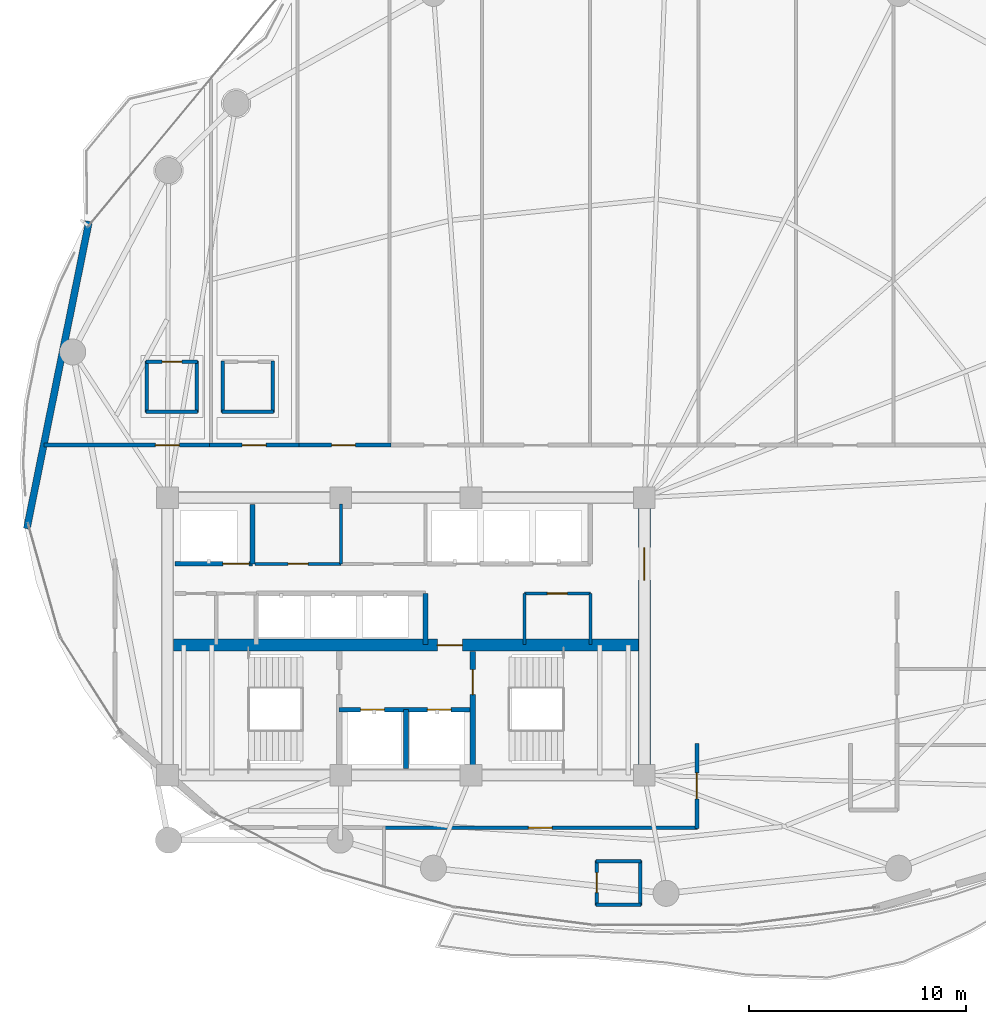
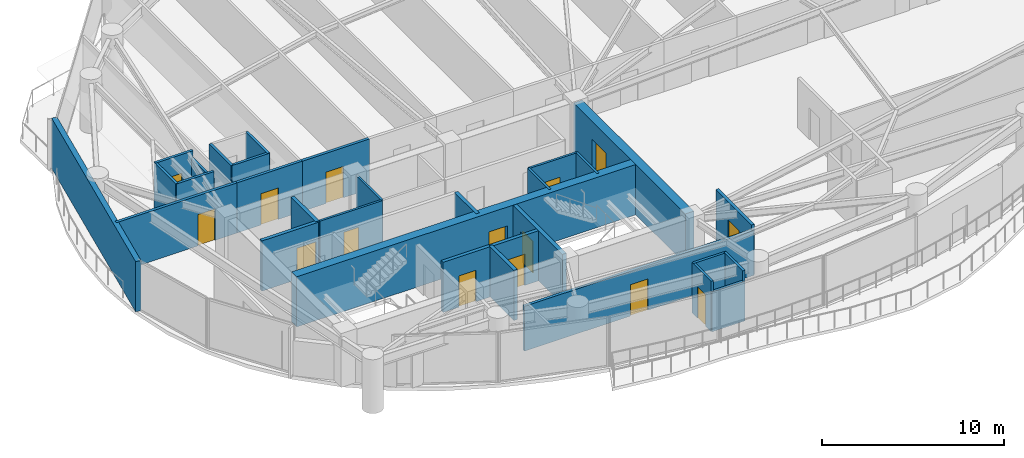
# One storey, part 23 of 28: 30 walls, 15 doors, 15 openings.
"""IFC4 building model written with IfcOpenShell, lengths in metres."""

from ifc_helpers import new_model, si_unit, direction, frame, frame_2d, origin, place, context, subcontext, project, spatial, rectangle, extrude, material, layer, layer_set, type_object, element, fill, save


model = new_model("IFC4")

# Units and contexts
model_context = context("Model", 3, precision=1e-05, world=origin(), true_north=direction((0.0, 1.0)))
body_context = subcontext(model_context, "Body", "Model", "MODEL_VIEW")
ifc_project = project(units=[si_unit("LENGTHUNIT", "METRE"), si_unit("AREAUNIT", "SQUARE_METRE"), si_unit("VOLUMEUNIT", "CUBIC_METRE"), si_unit("PLANEANGLEUNIT", "RADIAN"), si_unit("MASSUNIT", "GRAM", prefix="KILO")], contexts=[model_context])

# Site, building, storey
site_placement = place(None, origin())
site = spatial("IfcSite", under=ifc_project, at=site_placement, CompositionType="ELEMENT")
building_placement = place(site_placement, origin())
building = spatial("IfcBuilding", under=site, at=building_placement, Name="Kazevale Care Tower and Concert Hall", CompositionType="ELEMENT")
storey_placement = place(building_placement, frame((0.0, 0.0, 106.199951171875)))
storey = spatial("IfcBuildingStorey", under=building, at=storey_placement, Name="L27", CompositionType="ELEMENT", Elevation=106.199951171875)

# Wall, opening, door
ifc_material_1 = material(Name="Acoustic Gypsum on Steel Stud", Category="steel")
ifc_layer_1 = layer(ifc_material_1, 0.139892578125)
ifc_layer_set_1 = layer_set([ifc_layer_1], Name="Acoustic Gypsum on Steel Stud")
wall_type_1 = type_object("IfcWallType", Name="Acoustic Care & Suite Partition 140", PredefinedType="PARTITIONING", material=ifc_layer_set_1)
wall_1_placement = place(storey_placement, frame((26.050048828125, 33.35009765625, 0.0), z_axis=(0.0, 0.0, 1.0), x_axis=(1.0, 0.0, 0.0)))
wall_1 = element("IfcWall", 1, at=wall_1_placement, inside=storey, type_object=wall_type_1, Name="wall:L27:c_rpl1_s", PredefinedType="PARTITIONING", context=body_context, shape_type="SweptSolid", body=[
    extrude(rectangle(XDim=3.949951171875, YDim=0.139892578125, at=frame_2d((1.97509765625, 0.0))), origin(), (0.0, 0.0, 1.0), 3.360107421875),
])
opening_1_placement = place(wall_1_placement, frame((1.514892578125, 0.0, 0.0)))
opening_1 = element("IfcOpeningElement", 2, at=opening_1_placement, cuts=wall_1, Name="Opening ID-900", PredefinedType="OPENING", context=body_context, shape_type="SweptSolid", body=[
    extrude(rectangle(XDim=0.919921875, YDim=2.10009765625, at=frame_2d((0.4599609375, 1.050048828125))), frame((0.0, 0.079833984375, 0.0), z_axis=(0.0, -1.0, 0.0), x_axis=(1.0, 0.0, 0.0)), (0.0, 0.0, 1.0), 0.159912109375),
])
ifc_material_2 = material(Name="Oak Timber Fire Leaf", Category="wood")
door_type_1 = type_object("IfcDoorType", Name="Bathroom & Service Door 920x2100", OperationType="NOTDEFINED", PredefinedType="DOOR", material=ifc_material_2)
door_1_placement = place(opening_1_placement, origin())
door_1 = element("IfcDoor", 3, at=door_1_placement, inside=storey, type_object=door_type_1, Name="door:L27:d_rpl1", OperationType="SINGLE_SWING_LEFT", OverallHeight=2.10009765625, OverallWidth=0.919921875, PredefinedType="DOOR", context=body_context, shape_type="SweptSolid", body=[
    extrude(rectangle(XDim=0.919921875, YDim=2.10009765625, at=frame_2d((0.4599609375, 1.050048828125))), frame((0.0, 0.02490234375, 0.0), z_axis=(0.0, -1.0, 0.0), x_axis=(1.0, 0.0, 0.0)), (0.0, 0.0, 1.0), 0.050048828125),
])
fill(opening_1, door_1)

# Walls
wall_2_placement = place(storey_placement, frame((30.0, 33.35009765625, 0.0), z_axis=(0.0, 0.0, 1.0), x_axis=(0.0, 1.0, 0.0)))
element("IfcWall", 4, at=wall_2_placement, inside=storey, type_object=wall_type_1, Name="wall:L27:c_rpl_m", PredefinedType="PARTITIONING", context=body_context, shape_type="SweptSolid", body=[
    extrude(rectangle(XDim=2.75, YDim=0.139892578125, at=frame_2d((1.375, 0.0))), origin(), (0.0, 0.0, 1.0), 3.360107421875),
])
for number, where, z_axis, x_axis, name in (
    (5, (38.47998046875, 29.6201171875, 0.0), (0.0, 0.0, 1.0), (0.0, 1.0, 0.0), "wall:L27:kb_ew"),
    (6, (41.52001953125, 29.6201171875, 0.0), (0.0, 0.0, 1.0), (0.0, 1.0, 0.0), "wall:L27:kb_ee"),
):
    element("IfcWall", number, at=place(storey_placement, frame(where, z_axis=z_axis, x_axis=x_axis)), inside=storey, type_object=wall_type_1, Name=name, PredefinedType="PARTITIONING", context=body_context, shape_type="SweptSolid", body=[
        extrude(rectangle(XDim=2.35986328125, YDim=0.139892578125, at=frame_2d((1.179931640625, 0.0))), origin(), (0.0, 0.0, 1.0), 3.360107421875),
    ])

# Wall, opening, door
wall_3_placement = place(storey_placement, frame((38.47998046875, 31.97998046875, 0.0), z_axis=(0.0, 0.0, 1.0), x_axis=(1.0, 0.0, 0.0)))
wall_3 = element("IfcWall", 7, at=wall_3_placement, inside=storey, type_object=wall_type_1, Name="wall:L27:kb_en", PredefinedType="PARTITIONING", context=body_context, shape_type="SweptSolid", body=[
    extrude(rectangle(XDim=3.0400390625, YDim=0.139892578125, at=frame_2d((1.52001953125, 0.0))), origin(), (0.0, 0.0, 1.0), 3.360107421875),
])
opening_2_placement = place(wall_3_placement, frame((1.044921875, 0.0, 0.0)))
opening_2 = element("IfcOpeningElement", 8, at=opening_2_placement, cuts=wall_3, Name="Opening ID-900", PredefinedType="OPENING", context=body_context, shape_type="SweptSolid", body=[
    extrude(rectangle(XDim=0.919921875, YDim=2.10009765625, at=frame_2d((0.4599609375, 1.050048828125))), frame((0.0, 0.079833984375, 0.0), z_axis=(0.0, -1.0, 0.0), x_axis=(1.0, 0.0, 0.0)), (0.0, 0.0, 1.0), 0.159912109375),
])
door_2_placement = place(opening_2_placement, origin())
door_2 = element("IfcDoor", 9, at=door_2_placement, inside=storey, type_object=door_type_1, Name="door:L27:d_kbe", OperationType="SINGLE_SWING_LEFT", OverallHeight=2.10009765625, OverallWidth=0.919921875, PredefinedType="DOOR", context=body_context, shape_type="SweptSolid", body=[
    extrude(rectangle(XDim=0.919921875, YDim=2.10009765625, at=frame_2d((0.4599609375, 1.050048828125))), frame((0.0, 0.02490234375, 0.0), z_axis=(0.0, -1.0, 0.0), x_axis=(1.0, 0.0, 0.0)), (0.0, 0.0, 1.0), 0.050048828125),
])
fill(opening_2, door_2)

ifc_material_3 = material(Name="Concrete C60", Category="concrete")
ifc_layer_2 = layer(ifc_material_3, 0.550048828125)
ifc_layer_set_2 = layer_set([ifc_layer_2], Name="Concrete C60")
wall_type_2 = type_object("IfcWallType", Name="Core Shear Wall 550 C60", PredefinedType="SHEAR", material=ifc_layer_set_2)
wall_4_placement = place(storey_placement, frame((44.0, 23.875, 0.0), z_axis=(0.0, 0.0, 1.0), x_axis=(0.0, 1.0, 0.0)))
wall_4 = element("IfcWall", 10, at=wall_4_placement, inside=storey, type_object=wall_type_2, Name="wall:L27:core:E", PredefinedType="SHEAR", context=body_context, shape_type="SweptSolid", body=[
    extrude(rectangle(XDim=12.25, YDim=0.550048828125, at=frame_2d((6.125, 0.0))), origin(), (0.0, 0.0, 1.0), 3.360107421875),
])
opening_3_placement = place(wall_4_placement, frame((8.72509765625, 0.0, 0.0)))
opening_3 = element("IfcOpeningElement", 11, at=opening_3_placement, cuts=wall_4, Name="Opening FD-60D", PredefinedType="OPENING", context=body_context, shape_type="SweptSolid", body=[
    extrude(rectangle(XDim=1.5, YDim=2.14990234375, at=frame_2d((0.75, 1.074951171875))), frame((0.0, 0.284912109375, 0.0), z_axis=(0.0, -1.0, 0.0), x_axis=(1.0, 0.0, 0.0)), (0.0, 0.0, 1.0), 0.570068359375),
])
door_type_2 = type_object("IfcDoorType", Name="Double Lobby & Auditorium Fire Door 1500x2150", OperationType="NOTDEFINED", PredefinedType="DOOR", material=ifc_material_2)
door_3_placement = place(opening_3_placement, origin())
door_3 = element("IfcDoor", 12, at=door_3_placement, inside=storey, type_object=door_type_2, Name="door:L27:core_east_out", OperationType="DOUBLE_DOOR_SINGLE_SWING", OverallHeight=2.14990234375, OverallWidth=1.5, PredefinedType="DOOR", context=body_context, shape_type="SweptSolid", body=[
    extrude(rectangle(XDim=1.5, YDim=2.14990234375, at=frame_2d((0.75, 1.074951171875))), frame((0.0, 0.02490234375, 0.0), z_axis=(0.0, -1.0, 0.0), x_axis=(1.0, 0.0, 0.0)), (0.0, 0.0, 1.0), 0.050048828125),
])
fill(opening_3, door_3)

wall_5_placement = place(storey_placement, frame((22.27490234375, 29.60009765625, 0.0), z_axis=(0.0, 0.0, 1.0), x_axis=(1.0, 0.0, 0.0)))
wall_5 = element("IfcWall", 13, at=wall_5_placement, inside=storey, type_object=wall_type_2, Name="wall:L27:core:M", PredefinedType="SHEAR", context=body_context, shape_type="SweptSolid", body=[
    extrude(rectangle(XDim=21.4501953125, YDim=0.550048828125, at=frame_2d((10.72509765625, 0.0))), origin(), (0.0, 0.0, 1.0), 3.360107421875),
])
opening_4_placement = place(wall_5_placement, frame((12.175048828125, 0.0, 0.0)))
opening_4 = element("IfcOpeningElement", 14, at=opening_4_placement, cuts=wall_5, Name="Opening FD-90", PredefinedType="OPENING", context=body_context, shape_type="SweptSolid", body=[
    extrude(rectangle(XDim=1.14990234375, YDim=2.10009765625, at=frame_2d((0.574951171875, 1.050048828125))), frame((0.0, 0.284912109375, 0.0), z_axis=(0.0, -1.0, 0.0), x_axis=(1.0, 0.0, 0.0)), (0.0, 0.0, 1.0), 0.570068359375),
])
ifc_material_4 = material(Name="Steel ASTM A572 Gr 50", Category="steel")
door_type_3 = type_object("IfcDoorType", Name="Pressurized Stair & Lobby Fire Door 1150x2100", OperationType="NOTDEFINED", PredefinedType="DOOR", material=ifc_material_4)
door_4_placement = place(opening_4_placement, origin())
door_4 = element("IfcDoor", 15, at=door_4_placement, inside=storey, type_object=door_type_3, Name="door:L27:ff_to_pax", OperationType="SINGLE_SWING_LEFT", OverallHeight=2.10009765625, OverallWidth=1.14990234375, PredefinedType="DOOR", context=body_context, shape_type="SweptSolid", body=[
    extrude(rectangle(XDim=1.14990234375, YDim=2.10009765625, at=frame_2d((0.574951171875, 1.050048828125))), frame((0.0, 0.02490234375, 0.0), z_axis=(0.0, -1.0, 0.0), x_axis=(1.0, 0.0, 0.0)), (0.0, 0.0, 1.0), 0.050048828125),
])
fill(opening_4, door_4)

# Wall, openings, doors
ifc_material_5 = material(Name="Concrete C40", Category="concrete")
ifc_layer_3 = layer(ifc_material_5, 0.219970703125)
ifc_layer_set_3 = layer_set([ifc_layer_3], Name="Concrete C40")
wall_type_3 = type_object("IfcWallType", Name="Elevator Hoistway Shaft Wall 220", PredefinedType="SOLIDWALL", material=ifc_layer_set_3)
wall_6_placement = place(storey_placement, frame((29.919921875, 26.6201171875, 0.0), z_axis=(0.0, 0.0, 1.0), x_axis=(1.0, 0.0, 0.0)))
wall_6 = element("IfcWall", 16, at=wall_6_placement, inside=storey, type_object=wall_type_3, Name="wall:L27:c_ffl_n", PredefinedType="SOLIDWALL", context=body_context, shape_type="SweptSolid", body=[
    extrude(rectangle(XDim=6.16015625, YDim=0.219970703125, at=frame_2d((3.080078125, 0.0))), origin(), (0.0, 0.0, 1.0), 3.360107421875),
])
opening_5_placement = place(wall_6_placement, frame((0.989990234375, 0.0, 0.0)))
opening_5 = element("IfcOpeningElement", 17, at=opening_5_placement, cuts=wall_6, Name="Opening LD-FF", PredefinedType="OPENING", context=body_context, shape_type="SweptSolid", body=[
    extrude(rectangle(XDim=1.10009765625, YDim=2.10009765625, at=frame_2d((0.550048828125, 1.050048828125))), frame((0.0, 0.119873046875, 0.0), z_axis=(0.0, -1.0, 0.0), x_axis=(1.0, 0.0, 0.0)), (0.0, 0.0, 1.0), 0.239990234375),
])
opening_6_placement = place(wall_6_placement, frame((4.070068359375, 0.0, 0.0)))
opening_6 = element("IfcOpeningElement", 18, at=opening_6_placement, cuts=wall_6, Name="Opening LD-FF", PredefinedType="OPENING", context=body_context, shape_type="SweptSolid", body=[
    extrude(rectangle(XDim=1.10009765625, YDim=2.10009765625, at=frame_2d((0.550048828125, 1.050048828125))), frame((0.0, 0.119873046875, 0.0), z_axis=(0.0, -1.0, 0.0), x_axis=(1.0, 0.0, 0.0)), (0.0, 0.0, 1.0), 0.239990234375),
])
ifc_material_6 = material(Name="Stainless Steel 316", Category="steel")
door_type_4 = type_object("IfcDoorType", Name="Emergency Lift Sliding Landing Door 1100x2100", OperationType="NOTDEFINED", PredefinedType="DOOR", material=ifc_material_6)
door_5_placement = place(opening_5_placement, origin())
door_5 = element("IfcDoor", 19, at=door_5_placement, inside=storey, type_object=door_type_4, Name="door:L27:ld_ffl1", OperationType="SLIDING_TO_LEFT", OverallHeight=2.10009765625, OverallWidth=1.10009765625, PredefinedType="DOOR", context=body_context, shape_type="SweptSolid", body=[
    extrude(rectangle(XDim=1.10009765625, YDim=2.10009765625, at=frame_2d((0.550048828125, 1.050048828125))), frame((0.0, 0.02490234375, 0.0), z_axis=(0.0, -1.0, 0.0), x_axis=(1.0, 0.0, 0.0)), (0.0, 0.0, 1.0), 0.050048828125),
])
fill(opening_5, door_5)
door_6_placement = place(opening_6_placement, origin())
door_6 = element("IfcDoor", 20, at=door_6_placement, inside=storey, type_object=door_type_4, Name="door:L27:ld_ffl2", OperationType="SLIDING_TO_RIGHT", OverallHeight=2.10009765625, OverallWidth=1.10009765625, PredefinedType="DOOR", context=body_context, shape_type="SweptSolid", body=[
    extrude(rectangle(XDim=1.10009765625, YDim=2.10009765625, at=frame_2d((0.550048828125, 1.050048828125))), frame((0.0, 0.02490234375, 0.0), z_axis=(0.0, -1.0, 0.0), x_axis=(1.0, 0.0, 0.0)), (0.0, 0.0, 1.0), 0.050048828125),
])
fill(opening_6, door_6)

# Walls
wall_7_placement = place(storey_placement, frame((33.0, 23.89990234375, 0.0), z_axis=(0.0, 0.0, 1.0), x_axis=(0.0, 1.0, 0.0)))
element("IfcWall", 21, at=wall_7_placement, inside=storey, type_object=wall_type_3, Name="wall:L27:c_ffl_m", PredefinedType="SOLIDWALL", context=body_context, shape_type="SweptSolid", body=[
    extrude(rectangle(XDim=2.72021484375, YDim=0.219970703125, at=frame_2d((1.360107421875, 0.0))), origin(), (0.0, 0.0, 1.0), 3.360107421875),
])
wall_8_placement = place(storey_placement, frame((25.919921875, 33.35009765625, 0.0), z_axis=(0.0, 0.0, 1.0), x_axis=(0.0, 1.0, 0.0)))
element("IfcWall", 22, at=wall_8_placement, inside=storey, type_object=wall_type_3, Name="wall:L27:c_svl_e", PredefinedType="SOLIDWALL", context=body_context, shape_type="SweptSolid", body=[
    extrude(rectangle(XDim=2.72998046875, YDim=0.219970703125, at=frame_2d((1.364990234375, 0.0))), origin(), (0.0, 0.0, 1.0), 3.360107421875),
])

# Wall, opening, door
wall_9_placement = place(storey_placement, frame((22.35009765625, 33.35009765625, 0.0), z_axis=(0.0, 0.0, 1.0), x_axis=(1.0, 0.0, 0.0)))
wall_9 = element("IfcWall", 23, at=wall_9_placement, inside=storey, type_object=wall_type_3, Name="wall:L27:c_svl_s", PredefinedType="SOLIDWALL", context=body_context, shape_type="SweptSolid", body=[
    extrude(rectangle(XDim=3.56982421875, YDim=0.219970703125, at=frame_2d((1.784912109375, 0.0))), origin(), (0.0, 0.0, 1.0), 3.360107421875),
])
opening_7_placement = place(wall_9_placement, frame((2.212890625, 0.0, 0.0)))
opening_7 = element("IfcOpeningElement", 24, at=opening_7_placement, cuts=wall_9, Name="Opening LD-SV", PredefinedType="OPENING", context=body_context, shape_type="SweptSolid", body=[
    extrude(rectangle(XDim=1.199951171875, YDim=2.10009765625, at=frame_2d((0.60009765625, 1.050048828125))), frame((0.0, 0.119873046875, 0.0), z_axis=(0.0, -1.0, 0.0), x_axis=(1.0, 0.0, 0.0)), (0.0, 0.0, 1.0), 0.239990234375),
])
door_type_5 = type_object("IfcDoorType", Name="Service Lift Sliding Landing Door 1200x2100", OperationType="NOTDEFINED", PredefinedType="DOOR", material=ifc_material_6)
door_7_placement = place(opening_7_placement, origin())
door_7 = element("IfcDoor", 25, at=door_7_placement, inside=storey, type_object=door_type_5, Name="door:L27:ld_svl1", OperationType="SLIDING_TO_LEFT", OverallHeight=2.10009765625, OverallWidth=1.199951171875, PredefinedType="DOOR", context=body_context, shape_type="SweptSolid", body=[
    extrude(rectangle(XDim=1.199951171875, YDim=2.10009765625, at=frame_2d((0.60009765625, 1.050048828125))), frame((0.0, 0.02490234375, 0.0), z_axis=(0.0, -1.0, 0.0), x_axis=(1.0, 0.0, 0.0)), (0.0, 0.0, 1.0), 0.050048828125),
])
fill(opening_7, door_7)

# Wall
wall_10_placement = place(storey_placement, frame((33.89990234375, 29.6201171875, 0.0), z_axis=(0.0, 0.0, 1.0), x_axis=(0.0, 1.0, 0.0)))
element("IfcWall", 26, at=wall_10_placement, inside=storey, type_object=wall_type_3, Name="wall:L27:c_ph_e", PredefinedType="SOLIDWALL", context=body_context, shape_type="SweptSolid", body=[
    extrude(rectangle(XDim=2.35986328125, YDim=0.219970703125, at=frame_2d((1.179931640625, 0.0))), origin(), (0.0, 0.0, 1.0), 3.360107421875),
])

# Wall, opening, door
ifc_material_7 = material(Name="Concrete C40 and Acoustic Gypsum", Category="concrete")
ifc_layer_4 = layer(ifc_material_7, 0.179931640625)
ifc_layer_set_4 = layer_set([ifc_layer_4], Name="Concrete C40 and Acoustic Gypsum")
wall_type_4 = type_object("IfcWallType", Name="Fire-Rated Corridor & Party Wall 180", PredefinedType="PARTITIONING", material=ifc_layer_set_4)
wall_11_placement = place(storey_placement, frame((16.3046875, 38.824951171875, 0.0), z_axis=(0.0, 0.0, 1.0), x_axis=(1.0, 0.0, 0.0)))
wall_11 = element("IfcWall", 27, at=wall_11_placement, inside=storey, type_object=wall_type_4, Name="wall:L27:auto_001", PredefinedType="PARTITIONING", context=body_context, shape_type="SweptSolid", body=[
    extrude(rectangle(XDim=7.76025390625, YDim=0.179931640625, at=frame_2d((3.880126953125, 0.0))), origin(), (0.0, 0.0, 1.0), 3.360107421875),
])
opening_8_placement = place(wall_11_placement, frame((5.14501953125, 0.0, 0.0)))
opening_8 = element("IfcOpeningElement", 28, at=opening_8_placement, cuts=wall_11, Name="Opening ID-1100", PredefinedType="OPENING", context=body_context, shape_type="SweptSolid", body=[
    extrude(rectangle(XDim=1.10009765625, YDim=2.10009765625, at=frame_2d((0.550048828125, 1.050048828125))), frame((0.0, 0.099853515625, 0.0), z_axis=(0.0, -1.0, 0.0), x_axis=(1.0, 0.0, 0.0)), (0.0, 0.0, 1.0), 0.199951171875),
])
door_type_6 = type_object("IfcDoorType", Name="Care Bedroom Accessible Door 1100x2100", OperationType="NOTDEFINED", PredefinedType="DOOR", material=ifc_material_2)
door_8_placement = place(opening_8_placement, origin())
door_8 = element("IfcDoor", 29, at=door_8_placement, inside=storey, type_object=door_type_6, Name="door:L27:ad_001", OperationType="SINGLE_SWING_LEFT", OverallHeight=2.10009765625, OverallWidth=1.10009765625, PredefinedType="DOOR", context=body_context, shape_type="SweptSolid", body=[
    extrude(rectangle(XDim=1.10009765625, YDim=2.10009765625, at=frame_2d((0.550048828125, 1.050048828125))), frame((0.0, 0.02490234375, 0.0), z_axis=(0.0, -1.0, 0.0), x_axis=(1.0, 0.0, 0.0)), (0.0, 0.0, 1.0), 0.050048828125),
])
fill(opening_8, door_8)

wall_12_placement = place(storey_placement, frame((23.93505859375, 38.824951171875, 0.0), z_axis=(0.0, 0.0, 1.0), x_axis=(1.0, 0.0, 0.0)))
wall_12 = element("IfcWall", 30, at=wall_12_placement, inside=storey, type_object=wall_type_4, Name="wall:L27:auto_002", PredefinedType="PARTITIONING", context=body_context, shape_type="SweptSolid", body=[
    extrude(rectangle(XDim=4.1298828125, YDim=0.179931640625, at=frame_2d((2.06494140625, 0.0))), origin(), (0.0, 0.0, 1.0), 3.360107421875),
])
opening_9_placement = place(wall_12_placement, frame((1.514892578125, 0.0, 0.0)))
opening_9 = element("IfcOpeningElement", 31, at=opening_9_placement, cuts=wall_12, Name="Opening ID-1100", PredefinedType="OPENING", context=body_context, shape_type="SweptSolid", body=[
    extrude(rectangle(XDim=1.10009765625, YDim=2.10009765625, at=frame_2d((0.550048828125, 1.050048828125))), frame((0.0, 0.099853515625, 0.0), z_axis=(0.0, -1.0, 0.0), x_axis=(1.0, 0.0, 0.0)), (0.0, 0.0, 1.0), 0.199951171875),
])
door_9_placement = place(opening_9_placement, origin())
door_9 = element("IfcDoor", 32, at=door_9_placement, inside=storey, type_object=door_type_6, Name="door:L27:ad_002", OperationType="SINGLE_SWING_LEFT", OverallHeight=2.10009765625, OverallWidth=1.10009765625, PredefinedType="DOOR", context=body_context, shape_type="SweptSolid", body=[
    extrude(rectangle(XDim=1.10009765625, YDim=2.10009765625, at=frame_2d((0.550048828125, 1.050048828125))), frame((0.0, 0.02490234375, 0.0), z_axis=(0.0, -1.0, 0.0), x_axis=(1.0, 0.0, 0.0)), (0.0, 0.0, 1.0), 0.050048828125),
])
fill(opening_9, door_9)

wall_13_placement = place(storey_placement, frame((27.93505859375, 38.824951171875, 0.0), z_axis=(0.0, 0.0, 1.0), x_axis=(1.0, 0.0, 0.0)))
wall_13 = element("IfcWall", 33, at=wall_13_placement, inside=storey, type_object=wall_type_4, Name="wall:L27:auto_003", PredefinedType="PARTITIONING", context=body_context, shape_type="SweptSolid", body=[
    extrude(rectangle(XDim=4.3798828125, YDim=0.179931640625, at=frame_2d((2.18994140625, 0.0))), origin(), (0.0, 0.0, 1.0), 3.360107421875),
])
opening_10_placement = place(wall_13_placement, frame((1.639892578125, 0.0, 0.0)))
opening_10 = element("IfcOpeningElement", 34, at=opening_10_placement, cuts=wall_13, Name="Opening ID-1100", PredefinedType="OPENING", context=body_context, shape_type="SweptSolid", body=[
    extrude(rectangle(XDim=1.10009765625, YDim=2.10009765625, at=frame_2d((0.550048828125, 1.050048828125))), frame((0.0, 0.099853515625, 0.0), z_axis=(0.0, -1.0, 0.0), x_axis=(1.0, 0.0, 0.0)), (0.0, 0.0, 1.0), 0.199951171875),
])
door_10_placement = place(opening_10_placement, origin())
door_10 = element("IfcDoor", 35, at=door_10_placement, inside=storey, type_object=door_type_6, Name="door:L27:ad_003", OperationType="SINGLE_SWING_LEFT", OverallHeight=2.10009765625, OverallWidth=1.10009765625, PredefinedType="DOOR", context=body_context, shape_type="SweptSolid", body=[
    extrude(rectangle(XDim=1.10009765625, YDim=2.10009765625, at=frame_2d((0.550048828125, 1.050048828125))), frame((0.0, 0.02490234375, 0.0), z_axis=(0.0, -1.0, 0.0), x_axis=(1.0, 0.0, 0.0)), (0.0, 0.0, 1.0), 0.050048828125),
])
fill(opening_10, door_10)

wall_14_placement = place(storey_placement, frame((46.425048828125, 25.06494140625, 0.0), z_axis=(0.0, 0.0, 1.0), x_axis=(0.0, -1.0, 0.0)))
wall_14 = element("IfcWall", 36, at=wall_14_placement, inside=storey, type_object=wall_type_4, Name="wall:L27:auto_011", PredefinedType="PARTITIONING", context=body_context, shape_type="SweptSolid", body=[
    extrude(rectangle(XDim=3.919921875, YDim=0.179931640625, at=frame_2d((1.9599609375, 0.0))), origin(), (0.0, 0.0, 1.0), 3.360107421875),
])
opening_11_placement = place(wall_14_placement, frame((1.360107421875, 0.0, 0.0)))
opening_11 = element("IfcOpeningElement", 37, at=opening_11_placement, cuts=wall_14, Name="Opening ID-1200", PredefinedType="OPENING", context=body_context, shape_type="SweptSolid", body=[
    extrude(rectangle(XDim=1.199951171875, YDim=2.14990234375, at=frame_2d((0.60009765625, 1.074951171875))), frame((0.0, 0.099853515625, 0.0), z_axis=(0.0, -1.0, 0.0), x_axis=(1.0, 0.0, 0.0)), (0.0, 0.0, 1.0), 0.199951171875),
])
door_type_7 = type_object("IfcDoorType", Name="Clinical & Therapy Door 1200x2150", OperationType="NOTDEFINED", PredefinedType="DOOR", material=ifc_material_2)
door_11_placement = place(opening_11_placement, origin())
door_11 = element("IfcDoor", 38, at=door_11_placement, inside=storey, type_object=door_type_7, Name="door:L27:ad_011", OperationType="SINGLE_SWING_LEFT", OverallHeight=2.14990234375, OverallWidth=1.199951171875, PredefinedType="DOOR", context=body_context, shape_type="SweptSolid", body=[
    extrude(rectangle(XDim=1.199951171875, YDim=2.14990234375, at=frame_2d((0.60009765625, 1.074951171875))), frame((0.0, 0.02490234375, 0.0), z_axis=(0.0, -1.0, 0.0), x_axis=(1.0, 0.0, 0.0)), (0.0, 0.0, 1.0), 0.050048828125),
])
fill(opening_11, door_11)

wall_15_placement = place(storey_placement, frame((46.455078125, 21.175048828125, 0.0), z_axis=(0.0, 0.0, 1.0), x_axis=(-1.0, 0.0, 0.0)))
wall_15 = element("IfcWall", 39, at=wall_15_placement, inside=storey, type_object=wall_type_4, Name="wall:L27:auto_018", PredefinedType="PARTITIONING", context=body_context, shape_type="SweptSolid", body=[
    extrude(rectangle(XDim=14.52001953125, YDim=0.179931640625, at=frame_2d((7.260009765625, 0.0))), origin(), (0.0, 0.0, 1.0), 2.99609375),
])
opening_12_placement = place(wall_15_placement, frame((6.7099609375, 0.0, 0.0)))
opening_12 = element("IfcOpeningElement", 40, at=opening_12_placement, cuts=wall_15, Name="Opening ID-1100", PredefinedType="OPENING", context=body_context, shape_type="SweptSolid", body=[
    extrude(rectangle(XDim=1.10009765625, YDim=2.10009765625, at=frame_2d((0.550048828125, 1.050048828125))), frame((0.0, 0.099853515625, 0.0), z_axis=(0.0, -1.0, 0.0), x_axis=(1.0, 0.0, 0.0)), (0.0, 0.0, 1.0), 0.199951171875),
])
door_12_placement = place(opening_12_placement, origin())
door_12 = element("IfcDoor", 41, at=door_12_placement, inside=storey, type_object=door_type_6, Name="door:L27:ad_018", OperationType="SINGLE_SWING_LEFT", OverallHeight=2.10009765625, OverallWidth=1.10009765625, PredefinedType="DOOR", context=body_context, shape_type="SweptSolid", body=[
    extrude(rectangle(XDim=1.10009765625, YDim=2.10009765625, at=frame_2d((0.550048828125, 1.050048828125))), frame((0.0, 0.02490234375, 0.0), z_axis=(0.0, -1.0, 0.0), x_axis=(1.0, 0.0, 0.0)), (0.0, 0.0, 1.0), 0.050048828125),
])
fill(opening_12, door_12)

# Wall
ifc_layer_5 = layer(ifc_material_1, 0.159912109375)
ifc_layer_set_5 = layer_set([ifc_layer_5], Name="Acoustic Gypsum on Steel Stud")
wall_type_5 = type_object("IfcWallType", Name="Moisture-Resistant Bathroom Plumbing Wall 160", PredefinedType="PLUMBINGWALL", material=ifc_layer_set_5)
wall_16_placement = place(storey_placement, frame((21.010009765625, 40.375, 0.0), z_axis=(0.0, 0.0, 1.0), x_axis=(1.0, 0.0, 0.0)))
element("IfcWall", 42, at=wall_16_placement, inside=storey, type_object=wall_type_5, Name="wall:L27:nb2a_ens_ws", PredefinedType="PLUMBINGWALL", context=body_context, shape_type="SweptSolid", body=[
    extrude(rectangle(XDim=2.3798828125, YDim=0.159912109375, at=frame_2d((1.18994140625, 0.0))), origin(), (0.0, 0.0, 1.0), 3.360107421875),
])

# Wall, opening, door
wall_17_placement = place(storey_placement, frame((21.010009765625, 42.675048828125, 0.0), z_axis=(0.0, 0.0, 1.0), x_axis=(1.0, 0.0, 0.0)))
wall_17 = element("IfcWall", 43, at=wall_17_placement, inside=storey, type_object=wall_type_5, Name="wall:L27:nb2a_ens_wn", PredefinedType="PLUMBINGWALL", context=body_context, shape_type="SweptSolid", body=[
    extrude(rectangle(XDim=2.3798828125, YDim=0.159912109375, at=frame_2d((1.18994140625, 0.0))), origin(), (0.0, 0.0, 1.0), 3.360107421875),
])
opening_13_placement = place(wall_17_placement, frame((0.739990234375, 0.0, 0.0)))
opening_13 = element("IfcOpeningElement", 44, at=opening_13_placement, cuts=wall_17, Name="Opening ID-900", PredefinedType="OPENING", context=body_context, shape_type="SweptSolid", body=[
    extrude(rectangle(XDim=0.919921875, YDim=2.10009765625, at=frame_2d((0.4599609375, 1.050048828125))), frame((0.0, 0.08984375, 0.0), z_axis=(0.0, -1.0, 0.0), x_axis=(1.0, 0.0, 0.0)), (0.0, 0.0, 1.0), 0.179931640625),
])
door_13_placement = place(opening_13_placement, origin())
door_13 = element("IfcDoor", 45, at=door_13_placement, inside=storey, type_object=door_type_1, Name="door:L27:nb2a_ens_d", OperationType="SINGLE_SWING_RIGHT", OverallHeight=2.10009765625, OverallWidth=0.919921875, PredefinedType="DOOR", context=body_context, shape_type="SweptSolid", body=[
    extrude(rectangle(XDim=0.919921875, YDim=2.10009765625, at=frame_2d((0.4599609375, 1.050048828125))), frame((0.0, 0.02490234375, 0.0), z_axis=(0.0, -1.0, 0.0), x_axis=(1.0, 0.0, 0.0)), (0.0, 0.0, 1.0), 0.050048828125),
])
fill(opening_13, door_13)

# Walls
wall_18_placement = place(storey_placement, frame((21.050048828125, 40.3349609375, 0.0), z_axis=(0.0, 0.0, 1.0), x_axis=(0.0, 1.0, 0.0)))
element("IfcWall", 46, at=wall_18_placement, inside=storey, type_object=wall_type_5, Name="wall:L27:nb2a_ens_ww", PredefinedType="PLUMBINGWALL", context=body_context, shape_type="SweptSolid", body=[
    extrude(rectangle(XDim=2.380126953125, YDim=0.159912109375, at=frame_2d((1.18994140625, 0.0))), origin(), (0.0, 0.0, 1.0), 3.360107421875),
])
wall_19_placement = place(storey_placement, frame((23.35009765625, 40.3349609375, 0.0), z_axis=(0.0, 0.0, 1.0), x_axis=(0.0, 1.0, 0.0)))
element("IfcWall", 47, at=wall_19_placement, inside=storey, type_object=wall_type_5, Name="wall:L27:nb2a_ens_we", PredefinedType="PLUMBINGWALL", context=body_context, shape_type="SweptSolid", body=[
    extrude(rectangle(XDim=2.380126953125, YDim=0.159912109375, at=frame_2d((1.18994140625, 0.0))), origin(), (0.0, 0.0, 1.0), 2.89013671875),
])
wall_20_placement = place(storey_placement, frame((24.510009765625, 40.375, 0.0), z_axis=(0.0, 0.0, 1.0), x_axis=(1.0, 0.0, 0.0)))
element("IfcWall", 48, at=wall_20_placement, inside=storey, type_object=wall_type_5, Name="wall:L27:nb2b_ens_ws", PredefinedType="PLUMBINGWALL", context=body_context, shape_type="SweptSolid", body=[
    extrude(rectangle(XDim=2.3798828125, YDim=0.159912109375, at=frame_2d((1.18994140625, 0.0))), origin(), (0.0, 0.0, 1.0), 3.360107421875),
])
for number, where, z_axis, x_axis, name in (
    (49, (24.550048828125, 40.3349609375, 0.0), (0.0, 0.0, 1.0), (0.0, 1.0, 0.0), "wall:L27:nb2b_ens_ww"),
    (50, (26.85009765625, 40.3349609375, 0.0), (0.0, 0.0, 1.0), (0.0, 1.0, 0.0), "wall:L27:nb2b_ens_we"),
):
    element("IfcWall", number, at=place(storey_placement, frame(where, z_axis=z_axis, x_axis=x_axis)), inside=storey, type_object=wall_type_5, Name=name, PredefinedType="PLUMBINGWALL", context=body_context, shape_type="SweptSolid", body=[
        extrude(rectangle(XDim=2.380126953125, YDim=0.159912109375, at=frame_2d((1.18994140625, 0.0))), origin(), (0.0, 0.0, 1.0), 3.360107421875),
    ])
wall_21_placement = place(storey_placement, frame((41.760009765625, 17.6298828125, 0.0), z_axis=(0.0, 0.0, 1.0), x_axis=(1.0, 0.0, 0.0)))
element("IfcWall", 51, at=wall_21_placement, inside=storey, type_object=wall_type_5, Name="wall:L27:sb2_ens_ws", PredefinedType="PLUMBINGWALL", context=body_context, shape_type="SweptSolid", body=[
    extrude(rectangle(XDim=2.080078125, YDim=0.159912109375, at=frame_2d((1.0400390625, 0.0))), origin(), (0.0, 0.0, 1.0), 2.656982421875),
])
wall_22_placement = place(storey_placement, frame((41.760009765625, 19.6298828125, 0.0), z_axis=(0.0, 0.0, 1.0), x_axis=(1.0, 0.0, 0.0)))
element("IfcWall", 52, at=wall_22_placement, inside=storey, type_object=wall_type_5, Name="wall:L27:sb2_ens_wn", PredefinedType="PLUMBINGWALL", context=body_context, shape_type="SweptSolid", body=[
    extrude(rectangle(XDim=2.080078125, YDim=0.159912109375, at=frame_2d((1.0400390625, 0.0))), origin(), (0.0, 0.0, 1.0), 3.360107421875),
])

# Wall, opening, door
wall_23_placement = place(storey_placement, frame((41.800048828125, 17.590087890625, 0.0), z_axis=(0.0, 0.0, 1.0), x_axis=(0.0, 1.0, 0.0)))
wall_23 = element("IfcWall", 53, at=wall_23_placement, inside=storey, type_object=wall_type_5, Name="wall:L27:sb2_ens_ww", PredefinedType="PLUMBINGWALL", context=body_context, shape_type="SweptSolid", body=[
    extrude(rectangle(XDim=2.079833984375, YDim=0.159912109375, at=frame_2d((1.0400390625, 0.0))), origin(), (0.0, 0.0, 1.0), 3.360107421875),
])
opening_14_placement = place(wall_23_placement, frame((0.590087890625, 0.0, 0.0)))
opening_14 = element("IfcOpeningElement", 54, at=opening_14_placement, cuts=wall_23, Name="Opening ID-900", PredefinedType="OPENING", context=body_context, shape_type="SweptSolid", body=[
    extrude(rectangle(XDim=0.919921875, YDim=2.10009765625, at=frame_2d((0.4599609375, 1.050048828125))), frame((0.0, 0.08984375, 0.0), z_axis=(0.0, -1.0, 0.0), x_axis=(1.0, 0.0, 0.0)), (0.0, 0.0, 1.0), 0.179931640625),
])
door_14_placement = place(opening_14_placement, origin())
door_14 = element("IfcDoor", 55, at=door_14_placement, inside=storey, type_object=door_type_1, Name="door:L27:sb2_ens_d", OperationType="SINGLE_SWING_RIGHT", OverallHeight=2.10009765625, OverallWidth=0.919921875, PredefinedType="DOOR", context=body_context, shape_type="SweptSolid", body=[
    extrude(rectangle(XDim=0.919921875, YDim=2.10009765625, at=frame_2d((0.4599609375, 1.050048828125))), frame((0.0, 0.02490234375, 0.0), z_axis=(0.0, -1.0, 0.0), x_axis=(1.0, 0.0, 0.0)), (0.0, 0.0, 1.0), 0.050048828125),
])
fill(opening_14, door_14)

# Wall
wall_24_placement = place(storey_placement, frame((43.800048828125, 17.590087890625, 0.0), z_axis=(0.0, 0.0, 1.0), x_axis=(0.0, 1.0, 0.0)))
element("IfcWall", 56, at=wall_24_placement, inside=storey, type_object=wall_type_5, Name="wall:L27:sb2_ens_we", PredefinedType="PLUMBINGWALL", context=body_context, shape_type="SweptSolid", body=[
    extrude(rectangle(XDim=2.079833984375, YDim=0.159912109375, at=frame_2d((1.0400390625, 0.0))), origin(), (0.0, 0.0, 1.0), 3.360107421875),
])

# Wall, opening, door
ifc_layer_6 = layer(ifc_material_5, 0.25)
ifc_layer_set_6 = layer_set([ifc_layer_6], Name="Concrete C40")
wall_type_6 = type_object("IfcWallType", Name="Pressurized Stair Shaft Wall 250", PredefinedType="SOLIDWALL", material=ifc_layer_set_6)
wall_25_placement = place(storey_placement, frame((36.080078125, 23.89990234375, 0.0), z_axis=(0.0, 0.0, 1.0), x_axis=(0.0, 1.0, 0.0)))
wall_25 = element("IfcWall", 57, at=wall_25_placement, inside=storey, type_object=wall_type_6, Name="wall:L27:c_st2_w", PredefinedType="SOLIDWALL", context=body_context, shape_type="SweptSolid", body=[
    extrude(rectangle(XDim=5.400146484375, YDim=0.25, at=frame_2d((2.7001953125, 0.0))), origin(), (0.0, 0.0, 1.0), 3.360107421875),
])
opening_15_placement = place(wall_25_placement, frame((3.4208984375, 0.0, 0.0)))
opening_15 = element("IfcOpeningElement", 58, at=opening_15_placement, cuts=wall_25, Name="Opening FD-90", PredefinedType="OPENING", context=body_context, shape_type="SweptSolid", body=[
    extrude(rectangle(XDim=1.14990234375, YDim=2.10009765625, at=frame_2d((0.574951171875, 1.050048828125))), frame((0.0, 0.135009765625, 0.0), z_axis=(0.0, -1.0, 0.0), x_axis=(1.0, 0.0, 0.0)), (0.0, 0.0, 1.0), 0.27001953125),
])
door_15_placement = place(opening_15_placement, origin())
door_15 = element("IfcDoor", 59, at=door_15_placement, inside=storey, type_object=door_type_3, Name="door:L27:st2", OperationType="SINGLE_SWING_LEFT", OverallHeight=2.10009765625, OverallWidth=1.14990234375, PredefinedType="DOOR", context=body_context, shape_type="SweptSolid", body=[
    extrude(rectangle(XDim=1.14990234375, YDim=2.10009765625, at=frame_2d((0.574951171875, 1.050048828125))), frame((0.0, 0.02490234375, 0.0), z_axis=(0.0, -1.0, 0.0), x_axis=(1.0, 0.0, 0.0)), (0.0, 0.0, 1.0), 0.050048828125),
])
fill(opening_15, door_15)

# Wall
ifc_material_8 = material(Name="Concrete C40 with Honed Limestone Cladding", Category="masonry")
ifc_layer_7 = layer(ifc_material_8, 0.320068359375)
ifc_layer_set_7 = layer_set([ifc_layer_7], Name="Concrete C40 with Honed Limestone Cladding")
wall_type_7 = type_object("IfcWallType", Name="Tower Honed Limestone Spandrel Wall 320", PredefinedType="STANDARD", material=ifc_layer_set_7)
wall_26_placement = place(storey_placement, frame((15.513916015625, 34.967041015625, 0.0), z_axis=(0.0, 0.0, 1.0), x_axis=(0.198370893133, 0.980127026848, 0.0)))
element("IfcWall", 60, at=wall_26_placement, inside=storey, type_object=wall_type_7, Name="wall:cw:L27:f13", PredefinedType="STANDARD", context=body_context, shape_type="SweptSolid", body=[
    extrude(rectangle(XDim=14.468505859375, YDim=0.320068359375, at=frame_2d((7.234375, 0.0))), origin(), (0.0, 0.0, 1.0), 3.360107421875),
])

save(model, "model.ifc")
